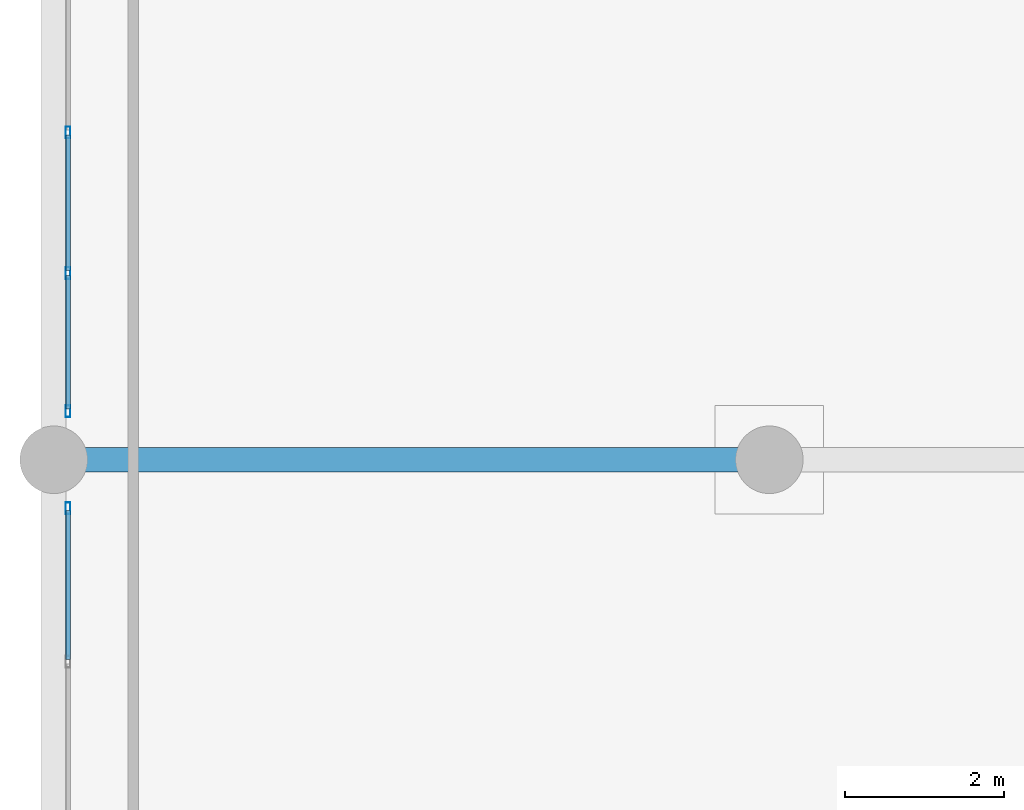
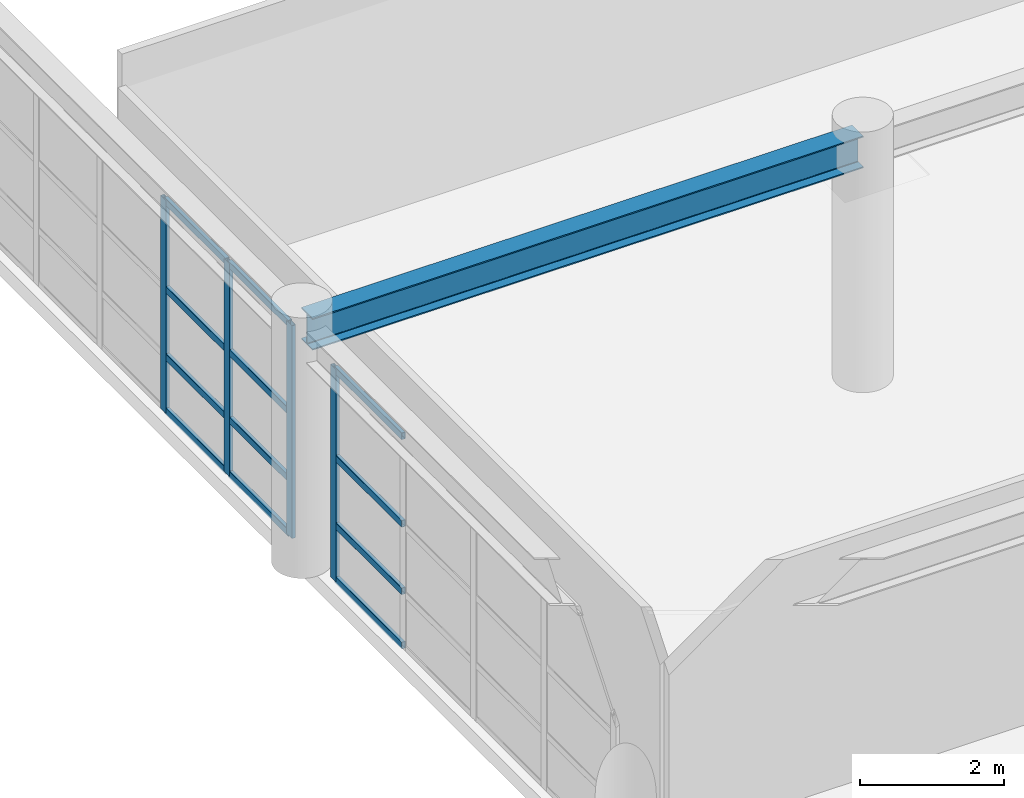
# One storey, part 20 of 133: 16 members, 1 beam, 2 elements without a shape of their own.
"""IFC4 building model written with IfcOpenShell, lengths in metres."""

from ifc_helpers import new_model, si_unit, direction, frame, origin, origin_2d, place, context, subcontext, project, spatial, hollow_rectangle, i_section, extrude, material, material_profile, profile_set, type_object, element, aggregate, save


model = new_model("IFC4")

# Units and contexts
model_context = context("Model", 3, precision=1e-05, world=origin(), true_north=direction((0.0, 1.0)))
body_context = subcontext(model_context, "Body", "Model", "MODEL_VIEW")
ifc_project = project(units=[si_unit("LENGTHUNIT", "METRE"), si_unit("AREAUNIT", "SQUARE_METRE"), si_unit("VOLUMEUNIT", "CUBIC_METRE"), si_unit("PLANEANGLEUNIT", "RADIAN"), si_unit("MASSUNIT", "GRAM", prefix="KILO")], contexts=[model_context])

# Site, building, storey
site_placement = place(None, origin())
site = spatial("IfcSite", under=ifc_project, at=site_placement, CompositionType="ELEMENT")
building_placement = place(site_placement, origin())
building = spatial("IfcBuilding", under=site, at=building_placement, Name="Miravela Opera House", CompositionType="ELEMENT")
storey_placement = place(building_placement, frame((0.0, 0.0, 5.10009765625)))
storey = spatial("IfcBuildingStorey", under=building, at=storey_placement, Name="L01", CompositionType="ELEMENT", Elevation=5.10009765625)

# Curtain wall, member
ifc_material_1 = material(Name="Anodised architectural bronze aluminium 6063-T6", Category="aluminium")
curtain_wall_type = type_object("IfcCurtainWallType", Name="ARC-CW-07", PredefinedType="NOTDEFINED", material=ifc_material_1)
curtain_wall_1_placement = place(storey_placement, origin())
curtain_wall_1 = element("IfcCurtainWall", 1, at=curtain_wall_1_placement, inside=storey, type_object=curtain_wall_type, Name="Courtyard Arcade Curtain Wall CW-L01-197", PredefinedType="NOTDEFINED")
ifc_material_profile_1 = material_profile(ifc_material_1, hollow_rectangle(XDim=0.06005859375, YDim=0.14990234375, WallThickness=0.00390625, InnerFilletRadius=0.001953125, OuterFilletRadius=0.00390625, at=origin_2d()), Name="CWM-60X150")
ifc_profile_set_1 = profile_set([ifc_material_profile_1])
member_type_1 = type_object("IfcMemberType", Name="ARC-CWM-150", PredefinedType="MULLION", material=ifc_profile_set_1)
member_1_placement = place(storey_placement, frame((0.179931640625, 17.389892578125, 0.0), z_axis=(0.0, 0.0, 1.0), x_axis=(-1.0, 0.0, 0.0)))
member_1 = element("IfcMember", 2, at=member_1_placement, type_object=member_type_1, Name="CW-07 mullion 5", PredefinedType="MULLION", context=body_context, shape_type="SweptSolid", body=[
    extrude(hollow_rectangle(XDim=0.06005859375, YDim=0.14990234375, WallThickness=0.00390625, InnerFilletRadius=0.001953125, OuterFilletRadius=0.00390625, at=origin_2d()), origin(), (0.0, 0.0, 1.0), 3.60986328125),
])

# Curtain wall, members
curtain_wall_2_placement = place(storey_placement, origin())
curtain_wall_2 = element("IfcCurtainWall", 3, at=curtain_wall_2_placement, inside=storey, type_object=curtain_wall_type, Name="Courtyard Arcade Curtain Wall CW-L01-198", PredefinedType="NOTDEFINED")
member_2_placement = place(storey_placement, frame((0.179931640625, 18.610107421875, 0.0), z_axis=(0.0, 0.0, 1.0), x_axis=(-1.0, 0.0, 0.0)))
member_2 = element("IfcMember", 4, at=member_2_placement, type_object=member_type_1, Name="CW-07 mullion 1", PredefinedType="MULLION", context=body_context, shape_type="SweptSolid", body=[
    extrude(hollow_rectangle(XDim=0.06005859375, YDim=0.14990234375, WallThickness=0.00390625, InnerFilletRadius=0.001953125, OuterFilletRadius=0.00390625, at=origin_2d()), origin(), (0.0, 0.0, 1.0), 3.60986328125),
])
member_3_placement = place(storey_placement, frame((0.179931640625, 20.347900390625, 0.0), z_axis=(0.0, 0.0, 1.0), x_axis=(-1.0, 0.0, 0.0)))
member_3 = element("IfcMember", 5, at=member_3_placement, type_object=member_type_1, Name="CW-07 mullion 2", PredefinedType="MULLION", context=body_context, shape_type="SweptSolid", body=[
    extrude(hollow_rectangle(XDim=0.06005859375, YDim=0.14990234375, WallThickness=0.00390625, InnerFilletRadius=0.001953125, OuterFilletRadius=0.00390625, at=origin_2d()), origin(), (0.0, 0.0, 1.0), 3.60986328125),
])
member_4_placement = place(storey_placement, frame((0.179931640625, 22.115966796875, 0.0), z_axis=(0.0, 0.0, 1.0), x_axis=(-1.0, 0.0, 0.0)))
member_4 = element("IfcMember", 6, at=member_4_placement, type_object=member_type_1, Name="CW-07 mullion 3", PredefinedType="MULLION", context=body_context, shape_type="SweptSolid", body=[
    extrude(hollow_rectangle(XDim=0.06005859375, YDim=0.14990234375, WallThickness=0.00390625, InnerFilletRadius=0.001953125, OuterFilletRadius=0.00390625, at=origin_2d()), origin(), (0.0, 0.0, 1.0), 3.60986328125),
])

# Member
ifc_material_profile_2 = material_profile(ifc_material_1, hollow_rectangle(XDim=0.06005859375, YDim=0.114990234375, WallThickness=0.00390625, InnerFilletRadius=0.001953125, OuterFilletRadius=0.00390625, at=origin_2d()), Name="CWT-60X115")
ifc_profile_set_2 = profile_set([ifc_material_profile_2])
member_type_2 = type_object("IfcMemberType", Name="ARC-CWT-115", PredefinedType="USERDEFINED", material=ifc_profile_set_2)
member_5_placement = place(storey_placement, frame((0.179931640625, 15.489990234375, 0.02978515625), z_axis=(0.0, 1.0, 0.0), x_axis=(-1.0, 0.0, 0.0)))
member_5 = element("IfcMember", 7, at=member_5_placement, type_object=member_type_2, Name="CW-07 transom 4.1", ObjectType="TRANSOM", PredefinedType="USERDEFINED", context=body_context, shape_type="SweptSolid", body=[
    extrude(hollow_rectangle(XDim=0.06005859375, YDim=0.114990234375, WallThickness=0.00390625, InnerFilletRadius=0.001953125, OuterFilletRadius=0.00390625, at=origin_2d()), origin(), (0.0, 0.0, 1.0), 1.8701171875),
])

member_6_placement = place(storey_placement, frame((0.179931640625, 15.489990234375, 0.949951171875), z_axis=(0.0, 1.0, 0.0), x_axis=(-1.0, 0.0, 0.0)))
member_6 = element("IfcMember", 8, at=member_6_placement, type_object=member_type_2, Name="CW-07 transom 4.2", ObjectType="TRANSOM", PredefinedType="USERDEFINED", context=body_context, shape_type="SweptSolid", body=[
    extrude(hollow_rectangle(XDim=0.06005859375, YDim=0.114990234375, WallThickness=0.00390625, InnerFilletRadius=0.001953125, OuterFilletRadius=0.00390625, at=origin_2d()), origin(), (0.0, 0.0, 1.0), 1.8701171875),
])

member_7_placement = place(storey_placement, frame((0.179931640625, 15.489990234375, 2.09375), z_axis=(0.0, 1.0, 0.0), x_axis=(-1.0, 0.0, 0.0)))
member_7 = element("IfcMember", 9, at=member_7_placement, type_object=member_type_2, Name="CW-07 transom 4.3", ObjectType="TRANSOM", PredefinedType="USERDEFINED", context=body_context, shape_type="SweptSolid", body=[
    extrude(hollow_rectangle(XDim=0.06005859375, YDim=0.114990234375, WallThickness=0.00390625, InnerFilletRadius=0.001953125, OuterFilletRadius=0.00390625, at=origin_2d()), origin(), (0.0, 0.0, 1.0), 1.8701171875),
])

member_8_placement = place(storey_placement, frame((0.179931640625, 15.489990234375, 3.579833984375), z_axis=(0.0, 1.0, 0.0), x_axis=(-1.0, 0.0, 0.0)))
member_8 = element("IfcMember", 10, at=member_8_placement, type_object=member_type_2, Name="CW-07 transom 4.4", ObjectType="TRANSOM", PredefinedType="USERDEFINED", context=body_context, shape_type="SweptSolid", body=[
    extrude(hollow_rectangle(XDim=0.06005859375, YDim=0.114990234375, WallThickness=0.00390625, InnerFilletRadius=0.001953125, OuterFilletRadius=0.00390625, at=origin_2d()), origin(), (0.0, 0.0, 1.0), 1.8701171875),
])

aggregate(curtain_wall_1, [member_1, member_5, member_6, member_7, member_8])

member_9_placement = place(storey_placement, frame((0.179931640625, 18.639892578125, 0.02978515625), z_axis=(0.0, 1.0, 0.0), x_axis=(-1.0, 0.0, 0.0)))
member_9 = element("IfcMember", 11, at=member_9_placement, type_object=member_type_2, Name="CW-07 transom 1.1", ObjectType="TRANSOM", PredefinedType="USERDEFINED", context=body_context, shape_type="SweptSolid", body=[
    extrude(hollow_rectangle(XDim=0.06005859375, YDim=0.114990234375, WallThickness=0.00390625, InnerFilletRadius=0.001953125, OuterFilletRadius=0.00390625, at=origin_2d()), origin(), (0.0, 0.0, 1.0), 1.67822265625),
])

member_10_placement = place(storey_placement, frame((0.179931640625, 18.639892578125, 0.949951171875), z_axis=(0.0, 1.0, 0.0), x_axis=(-1.0, 0.0, 0.0)))
member_10 = element("IfcMember", 12, at=member_10_placement, type_object=member_type_2, Name="CW-07 transom 1.2", ObjectType="TRANSOM", PredefinedType="USERDEFINED", context=body_context, shape_type="SweptSolid", body=[
    extrude(hollow_rectangle(XDim=0.06005859375, YDim=0.114990234375, WallThickness=0.00390625, InnerFilletRadius=0.001953125, OuterFilletRadius=0.00390625, at=origin_2d()), origin(), (0.0, 0.0, 1.0), 1.67822265625),
])

member_11_placement = place(storey_placement, frame((0.179931640625, 18.639892578125, 2.09375), z_axis=(0.0, 1.0, 0.0), x_axis=(-1.0, 0.0, 0.0)))
member_11 = element("IfcMember", 13, at=member_11_placement, type_object=member_type_2, Name="CW-07 transom 1.3", ObjectType="TRANSOM", PredefinedType="USERDEFINED", context=body_context, shape_type="SweptSolid", body=[
    extrude(hollow_rectangle(XDim=0.06005859375, YDim=0.114990234375, WallThickness=0.00390625, InnerFilletRadius=0.001953125, OuterFilletRadius=0.00390625, at=origin_2d()), origin(), (0.0, 0.0, 1.0), 1.67822265625),
])

member_12_placement = place(storey_placement, frame((0.179931640625, 18.639892578125, 3.579833984375), z_axis=(0.0, 1.0, 0.0), x_axis=(-1.0, 0.0, 0.0)))
member_12 = element("IfcMember", 14, at=member_12_placement, type_object=member_type_2, Name="CW-07 transom 1.4", ObjectType="TRANSOM", PredefinedType="USERDEFINED", context=body_context, shape_type="SweptSolid", body=[
    extrude(hollow_rectangle(XDim=0.06005859375, YDim=0.114990234375, WallThickness=0.00390625, InnerFilletRadius=0.001953125, OuterFilletRadius=0.00390625, at=origin_2d()), origin(), (0.0, 0.0, 1.0), 1.67822265625),
])

member_13_placement = place(storey_placement, frame((0.179931640625, 20.3779296875, 0.02978515625), z_axis=(0.0, 1.0, 0.0), x_axis=(-1.0, 0.0, 0.0)))
member_13 = element("IfcMember", 15, at=member_13_placement, type_object=member_type_2, Name="CW-07 transom 2.1", ObjectType="TRANSOM", PredefinedType="USERDEFINED", context=body_context, shape_type="SweptSolid", body=[
    extrude(hollow_rectangle(XDim=0.06005859375, YDim=0.114990234375, WallThickness=0.00390625, InnerFilletRadius=0.001953125, OuterFilletRadius=0.00390625, at=origin_2d()), origin(), (0.0, 0.0, 1.0), 1.7080078125),
])

member_14_placement = place(storey_placement, frame((0.179931640625, 20.3779296875, 0.949951171875), z_axis=(0.0, 1.0, 0.0), x_axis=(-1.0, 0.0, 0.0)))
member_14 = element("IfcMember", 16, at=member_14_placement, type_object=member_type_2, Name="CW-07 transom 2.2", ObjectType="TRANSOM", PredefinedType="USERDEFINED", context=body_context, shape_type="SweptSolid", body=[
    extrude(hollow_rectangle(XDim=0.06005859375, YDim=0.114990234375, WallThickness=0.00390625, InnerFilletRadius=0.001953125, OuterFilletRadius=0.00390625, at=origin_2d()), origin(), (0.0, 0.0, 1.0), 1.7080078125),
])

member_15_placement = place(storey_placement, frame((0.179931640625, 20.3779296875, 2.09375), z_axis=(0.0, 1.0, 0.0), x_axis=(-1.0, 0.0, 0.0)))
member_15 = element("IfcMember", 17, at=member_15_placement, type_object=member_type_2, Name="CW-07 transom 2.3", ObjectType="TRANSOM", PredefinedType="USERDEFINED", context=body_context, shape_type="SweptSolid", body=[
    extrude(hollow_rectangle(XDim=0.06005859375, YDim=0.114990234375, WallThickness=0.00390625, InnerFilletRadius=0.001953125, OuterFilletRadius=0.00390625, at=origin_2d()), origin(), (0.0, 0.0, 1.0), 1.7080078125),
])

member_16_placement = place(storey_placement, frame((0.179931640625, 20.3779296875, 3.579833984375), z_axis=(0.0, 1.0, 0.0), x_axis=(-1.0, 0.0, 0.0)))
member_16 = element("IfcMember", 18, at=member_16_placement, type_object=member_type_2, Name="CW-07 transom 2.4", ObjectType="TRANSOM", PredefinedType="USERDEFINED", context=body_context, shape_type="SweptSolid", body=[
    extrude(hollow_rectangle(XDim=0.06005859375, YDim=0.114990234375, WallThickness=0.00390625, InnerFilletRadius=0.001953125, OuterFilletRadius=0.00390625, at=origin_2d()), origin(), (0.0, 0.0, 1.0), 1.7080078125),
])

aggregate(curtain_wall_2, [member_2, member_3, member_4, member_9, member_10, member_11, member_12, member_13, member_14, member_15, member_16])

# Beam
ifc_material_2 = material(Name="Structural steel ASTM A992 Gr. 50", Category="steel")
ifc_material_profile_3 = material_profile(ifc_material_2, i_section(OverallWidth=0.31201171875, OverallDepth=0.54296875, WebThickness=0.0126953125, FlangeThickness=0.020263671875, FilletRadius=0.01611328125, at=origin_2d()), Name="W530X150")
ifc_profile_set_3 = profile_set([ifc_material_profile_3])
beam_type = type_object("IfcBeamType", Name="STR-BM-W530X150", PredefinedType="BEAM", material=ifc_profile_set_3)
beam_placement = place(storey_placement, frame((0.080078125, 18.0, 3.908447265625), z_axis=(1.0, 0.0, 0.0), x_axis=(0.0, 1.0, 0.0)))
element("IfcBeam", 19, at=beam_placement, inside=storey, type_object=beam_type, Name="Roof King-Post Transverse Tie Girder ROOF-V5-SOUTH T2.1", PredefinedType="BEAM", context=body_context, shape_type="SweptSolid", body=[
    extrude(i_section(OverallWidth=0.31201171875, OverallDepth=0.54296875, WebThickness=0.0126953125, FlangeThickness=0.020263671875, FilletRadius=0.01611328125, at=origin_2d()), origin(), (0.0, 0.0, 1.0), 8.83984375),
])

save(model, "model.ifc")
